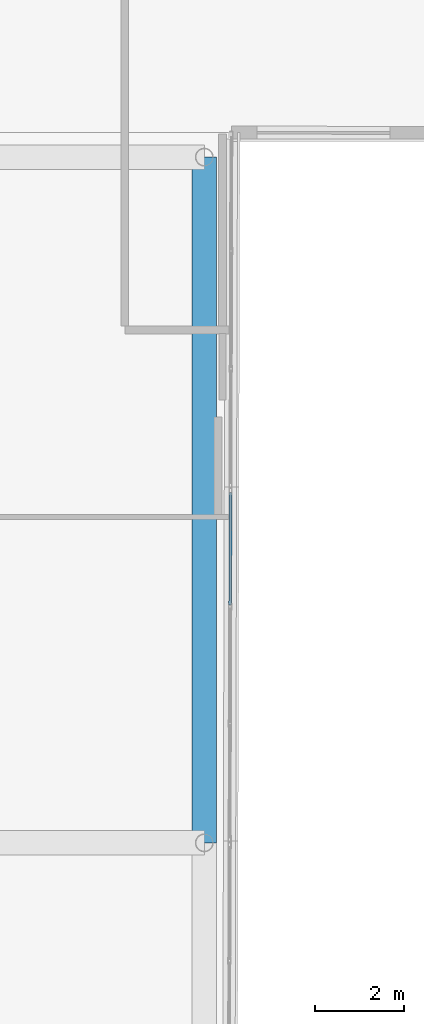
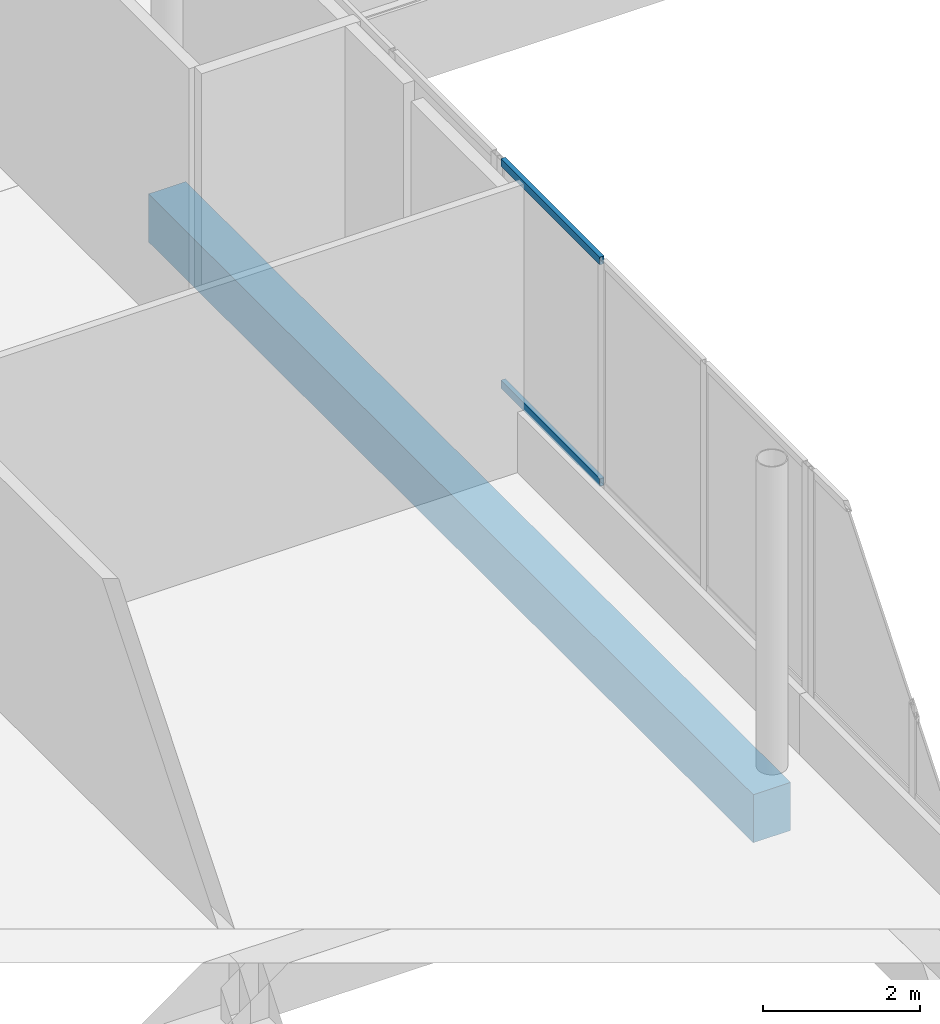
# One storey, part 76 of 155: 2 members, 1 beam, 1 element without a shape of its own.
"""IFC4 building model written with IfcOpenShell, lengths in metres."""

from ifc_helpers import new_model, si_unit, direction, frame, origin, origin_2d, place, context, subcontext, project, spatial, rectangle, hollow_rectangle, extrude, material, material_profile, profile_set, type_object, element, aggregate, save


model = new_model("IFC4")

# Units and contexts
model_context = context("Model", 3, precision=1e-05, world=origin(), true_north=direction((0.0, 1.0)))
body_context = subcontext(model_context, "Body", "Model", "MODEL_VIEW")
ifc_project = project(units=[si_unit("LENGTHUNIT", "METRE"), si_unit("AREAUNIT", "SQUARE_METRE"), si_unit("VOLUMEUNIT", "CUBIC_METRE"), si_unit("PLANEANGLEUNIT", "RADIAN"), si_unit("MASSUNIT", "GRAM", prefix="KILO")], contexts=[model_context])

# Site, building, storey
site_placement = place(None, origin())
site = spatial("IfcSite", under=ifc_project, at=site_placement, CompositionType="ELEMENT")
building_placement = place(site_placement, origin())
building = spatial("IfcBuilding", under=site, at=building_placement, Name="Selatvlak General Hospital", CompositionType="ELEMENT")
storey_placement = place(building_placement, frame((0.0, 0.0, 10.199951171875)))
storey = spatial("IfcBuildingStorey", under=building, at=storey_placement, Name="L02", CompositionType="ELEMENT", Elevation=10.199951171875)

# Beam
ifc_material_1 = material(Name="Concrete C40/50", Category="concrete")
ifc_material_profile_1 = material_profile(ifc_material_1, rectangle(XDim=0.550048828125, YDim=0.75, at=origin_2d()), Name="RC-BM 550x750")
ifc_profile_set_1 = profile_set([ifc_material_profile_1], Name="Concrete C40/50")
beam_type = type_object("IfcBeamType", Name="BM-G02", PredefinedType="BEAM", material=ifc_profile_set_1)
beam_placement = place(storey_placement, frame((81.050048828125, 68.0, -0.72998046875), z_axis=(0.0, 1.0, 0.0), x_axis=(-1.0, 0.0, 0.0)))
element("IfcBeam", 1, at=beam_placement, inside=storey, type_object=beam_type, Name="Beam BMR-L02-0984", PredefinedType="BEAM", context=body_context, shape_type="SweptSolid", body=[
    extrude(rectangle(XDim=0.550048828125, YDim=0.75, at=origin_2d()), origin(), (0.0, 0.0, 1.0), 15.449951171875),
])

# Curtain wall, members
ifc_material_2 = material(Name="Solar-control Low-E double glazing", Category="glass")
curtain_wall_type = type_object("IfcCurtainWallType", Name="CW-CW-01", PredefinedType="USERDEFINED", material=ifc_material_2)
curtain_wall_placement = place(storey_placement, origin())
curtain_wall = element("IfcCurtainWall", 2, at=curtain_wall_placement, inside=storey, type_object=curtain_wall_type, Name="Glazed facade curtain wall CW-L02-0358", ObjectType="UNITISED CURTAIN WALL", PredefinedType="USERDEFINED")
ifc_material_3 = material(Name="Dark anodised aluminium mullion", Category="aluminium")
ifc_material_profile_2 = material_profile(ifc_material_3, hollow_rectangle(XDim=0.06494140625, YDim=0.1201171875, WallThickness=0.00390625, at=origin_2d()), Name="AL-TRN 65x120x4")
ifc_profile_set_2 = profile_set([ifc_material_profile_2], Name="Dark anodised aluminium mullion")
member_type = type_object("IfcMemberType", Name="CWT-01", PredefinedType="USERDEFINED", material=ifc_profile_set_2)
member_1_placement = place(storey_placement, frame((81.639892578125, 75.889892578125, 0.97265625), z_axis=(-0.002599644595, -0.999996620918, 0.0), x_axis=(0.999996620918, -0.002599644595, 0.0)))
member_1 = element("IfcMember", 3, at=member_1_placement, type_object=member_type, Name="CW-01 transom 1.1", ObjectType="TRANSOM", PredefinedType="USERDEFINED", context=body_context, shape_type="SweptSolid", body=[
    extrude(hollow_rectangle(XDim=0.06494140625, YDim=0.1201171875, WallThickness=0.00390625, at=origin_2d()), origin(), (0.0, 0.0, 1.0), 2.53564453125),
])
member_2_placement = place(storey_placement, frame((81.639892578125, 75.889892578125, 4.427490234375), z_axis=(-0.002599644595, -0.999996620918, 0.0), x_axis=(0.999996620918, -0.002599644595, 0.0)))
member_2 = element("IfcMember", 4, at=member_2_placement, type_object=member_type, Name="CW-01 transom 1.2", ObjectType="TRANSOM", PredefinedType="USERDEFINED", context=body_context, shape_type="SweptSolid", body=[
    extrude(hollow_rectangle(XDim=0.06494140625, YDim=0.1201171875, WallThickness=0.00390625, at=origin_2d()), origin(), (0.0, 0.0, 1.0), 2.53564453125),
])
aggregate(curtain_wall, [member_1, member_2])

save(model, "model.ifc")
